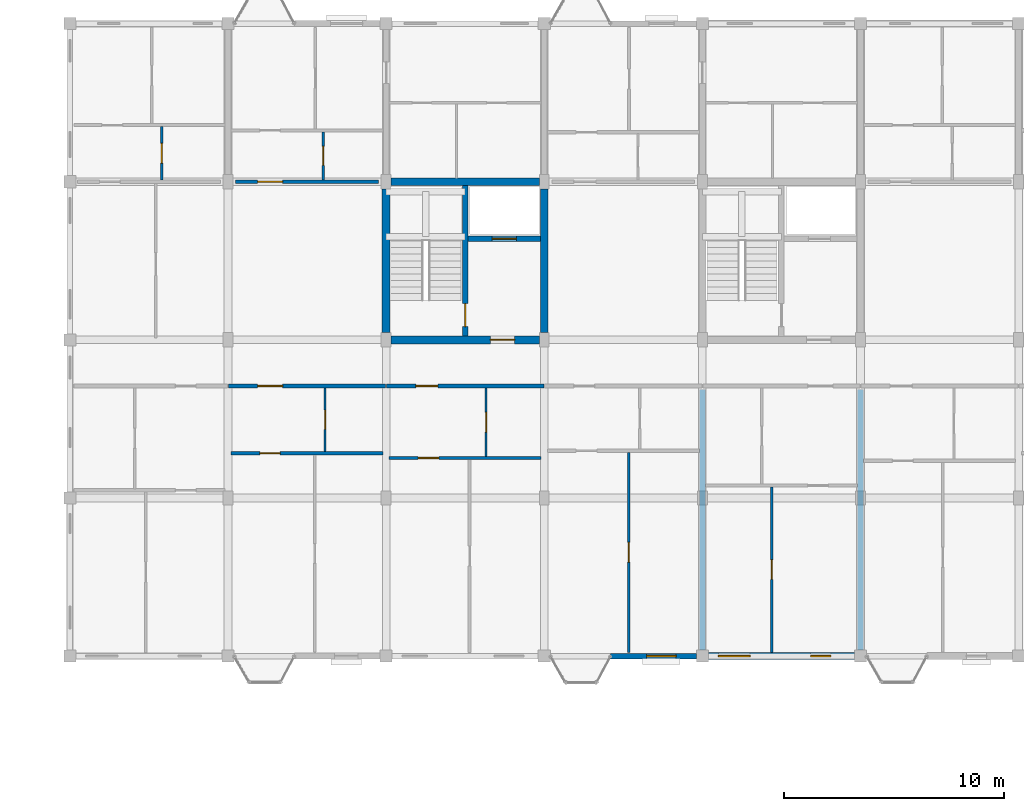
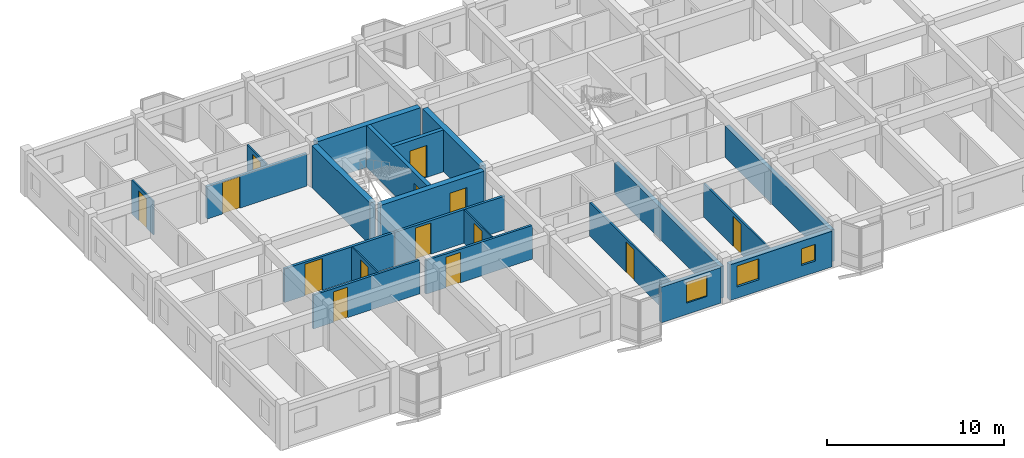
# One storey, part 66 of 77: 21 walls, 14 doors, 3 windows, 17 openings.
"""IFC4 building model written with IfcOpenShell, lengths in metres."""

from ifc_helpers import new_model, si_unit, direction, frame, frame_2d, origin, place, context, subcontext, project, spatial, rectangle, extrude, material, layer, layer_set, type_object, element, fill, save


model = new_model("IFC4")

# Units and contexts
model_context = context("Model", 3, precision=1e-05, world=origin(), true_north=direction((0.0, 1.0)))
body_context = subcontext(model_context, "Body", "Model", "MODEL_VIEW")
ifc_project = project(units=[si_unit("LENGTHUNIT", "METRE"), si_unit("AREAUNIT", "SQUARE_METRE"), si_unit("VOLUMEUNIT", "CUBIC_METRE"), si_unit("PLANEANGLEUNIT", "RADIAN"), si_unit("MASSUNIT", "GRAM", prefix="KILO"), si_unit("THERMODYNAMICTEMPERATUREUNIT", "KELVIN"), si_unit("POWERUNIT", "WATT")], contexts=[model_context])

# Site, building, storey
site_placement = place(None, origin())
site = spatial("IfcSite", under=ifc_project, at=site_placement, CompositionType="ELEMENT")
building_placement = place(site_placement, origin())
building = spatial("IfcBuilding", under=site, at=building_placement, Name="Tavuni Mirador Residences", CompositionType="ELEMENT")
storey_placement = place(building_placement, frame((0.0, 0.0, 10.800048828125)))
storey = spatial("IfcBuildingStorey", under=building, at=storey_placement, Name="L03", CompositionType="ELEMENT", Elevation=10.800048828125)

# Wall, opening, door
ifc_material_1 = material(Name="Precast concrete C40/50", Category="concrete")
ifc_layer_1 = layer(ifc_material_1, 0.25, Name="Precast concrete C40/50", Category="concrete")
ifc_layer_set_1 = layer_set([ifc_layer_1], Name="Precast concrete C40/50")
wall_type_1 = type_object("IfcWallType", Name="WT-COR250", PredefinedType="SHEAR", material=ifc_layer_set_1)
wall_1_placement = place(storey_placement, frame((28.800048828125, 158.580078125, 0.0), z_axis=(0.0, 0.0, 1.0), x_axis=(0.0, 1.0, 0.0)))
wall_1 = element("IfcWall", 1, at=wall_1_placement, inside=storey, type_object=wall_type_1, Name="CWALL-C5-L03-MID", PredefinedType="SHEAR", context=body_context, shape_type="SweptSolid", body=[
    extrude(rectangle(XDim=6.83984375, YDim=0.25, at=frame_2d((3.419921875, 0.0))), origin(), (0.0, 0.0, 1.0), 2.885009765625),
])
opening_1_placement = place(wall_1_placement, frame((0.419921875, 0.0, 0.0)))
opening_1 = element("IfcOpeningElement", 2, at=opening_1_placement, cuts=wall_1, Name="Opening D-01", PredefinedType="OPENING", context=body_context, shape_type="SweptSolid", body=[
    extrude(rectangle(XDim=1.050048828125, YDim=2.14990234375, at=frame_2d((0.52490234375, 1.074951171875))), frame((0.0, 0.135009765625, 0.0), z_axis=(0.0, -1.0, 0.0), x_axis=(1.0, 0.0, 0.0)), (0.0, 0.0, 1.0), 0.27001953125),
])
ifc_material_2 = material(Name="Solid core iroko timber", Category="wood")
door_type_1 = type_object("IfcDoorType", Name="DT-ST1050", OperationType="NOTDEFINED", PredefinedType="DOOR", material=ifc_material_2)
door_1_placement = place(opening_1_placement, origin())
door_1 = element("IfcDoor", 3, at=door_1_placement, inside=storey, type_object=door_type_1, Name="DR-2184", OperationType="SINGLE_SWING_RIGHT", OverallHeight=2.14990234375, OverallWidth=1.050048828125, PredefinedType="DOOR", context=body_context, shape_type="SweptSolid", body=[
    extrude(rectangle(XDim=1.050048828125, YDim=2.14990234375, at=frame_2d((0.52490234375, 1.074951171875))), frame((0.0, 0.02490234375, 0.0), z_axis=(0.0, -1.0, 0.0), x_axis=(1.0, 0.0, 0.0)), (0.0, 0.0, 1.0), 0.050048828125),
])
fill(opening_1, door_1)

wall_2_placement = place(storey_placement, frame((28.925048828125, 163.0, 0.0), z_axis=(0.0, 0.0, 1.0), x_axis=(1.0, 0.0, 0.0)))
wall_2 = element("IfcWall", 4, at=wall_2_placement, inside=storey, type_object=wall_type_1, Name="CWALL-C5-L03-SHF", PredefinedType="SHEAR", context=body_context, shape_type="SweptSolid", body=[
    extrude(rectangle(XDim=3.294921875, YDim=0.25, at=frame_2d((1.6474609375, 0.0))), origin(), (0.0, 0.0, 1.0), 2.885009765625),
])
opening_2_placement = place(wall_2_placement, frame((1.10009765625, 0.0, 0.0)))
opening_2 = element("IfcOpeningElement", 5, at=opening_2_placement, cuts=wall_2, Name="Opening LD-01", PredefinedType="OPENING", context=body_context, shape_type="SweptSolid", body=[
    extrude(rectangle(XDim=1.10009765625, YDim=2.199951171875, at=frame_2d((0.550048828125, 1.10009765625))), frame((0.0, 0.135009765625, 0.0), z_axis=(0.0, -1.0, 0.0), x_axis=(1.0, 0.0, 0.0)), (0.0, 0.0, 1.0), 0.27001953125),
])
ifc_material_3 = material(Name="Structural steel S355", Category="steel")
door_type_2 = type_object("IfcDoorType", Name="DT-LD-FF", OperationType="SLIDING_TO_LEFT", PredefinedType="DOOR", material=ifc_material_3)
door_2_placement = place(opening_2_placement, origin())
door_2 = element("IfcDoor", 6, at=door_2_placement, inside=storey, type_object=door_type_2, Name="Lift landing door FL-C1 L03", OperationType="SLIDING_TO_LEFT", OverallHeight=2.199951171875, OverallWidth=1.10009765625, PredefinedType="DOOR", context=body_context, shape_type="SweptSolid", body=[
    extrude(rectangle(XDim=1.10009765625, YDim=2.199951171875, at=frame_2d((0.550048828125, 1.10009765625))), frame((0.0, 0.02490234375, 0.0), z_axis=(0.0, -1.0, 0.0), x_axis=(1.0, 0.0, 0.0)), (0.0, 0.0, 1.0), 0.050048828125),
])
fill(opening_2, door_2)

# Walls
ifc_layer_2 = layer(ifc_material_1, 0.360107421875, Name="Precast concrete C40/50", Category="concrete")
ifc_layer_set_2 = layer_set([ifc_layer_2], Name="Precast concrete C40/50")
wall_type_2 = type_object("IfcWallType", Name="WT-COR360", PredefinedType="SHEAR", material=ifc_layer_set_2)
wall_3_placement = place(storey_placement, frame((25.199951171875, 158.72509765625, 0.0), z_axis=(0.0, 0.0, 1.0), x_axis=(0.0, 1.0, 0.0)))
element("IfcWall", 7, at=wall_3_placement, inside=storey, type_object=wall_type_2, Name="CWALL-C5-L03-W", PredefinedType="SHEAR", context=body_context, shape_type="SweptSolid", body=[
    extrude(rectangle(XDim=6.5498046875, YDim=0.360107421875, at=frame_2d((3.27490234375, 0.0))), origin(), (0.0, 0.0, 1.0), 2.885009765625),
])
wall_4_placement = place(storey_placement, frame((25.425048828125, 165.60009765625, 0.0), z_axis=(0.0, 0.0, 1.0), x_axis=(1.0, 0.0, 0.0)))
element("IfcWall", 8, at=wall_4_placement, inside=storey, type_object=wall_type_2, Name="CWALL-C5-L03-N", PredefinedType="SHEAR", context=body_context, shape_type="SweptSolid", body=[
    extrude(rectangle(XDim=6.75, YDim=0.360107421875, at=frame_2d((3.375, 0.0))), origin(), (0.0, 0.0, 1.0), 2.885009765625),
])
wall_5_placement = place(storey_placement, frame((32.39990234375, 158.72509765625, 0.0), z_axis=(0.0, 0.0, 1.0), x_axis=(0.0, 1.0, 0.0)))
element("IfcWall", 9, at=wall_5_placement, inside=storey, type_object=wall_type_2, Name="CWALL-C5-L03-E", PredefinedType="SHEAR", context=body_context, shape_type="SweptSolid", body=[
    extrude(rectangle(XDim=6.5498046875, YDim=0.360107421875, at=frame_2d((3.27490234375, 0.0))), origin(), (0.0, 0.0, 1.0), 2.885009765625),
])

# Wall, opening, door
wall_6_placement = place(storey_placement, frame((25.425048828125, 158.39990234375, 0.0), z_axis=(0.0, 0.0, 1.0), x_axis=(1.0, 0.0, 0.0)))
wall_6 = element("IfcWall", 10, at=wall_6_placement, inside=storey, type_object=wall_type_2, Name="CWALL-C5-L03-SS", PredefinedType="SHEAR", context=body_context, shape_type="SweptSolid", body=[
    extrude(rectangle(XDim=6.75, YDim=0.360107421875, at=frame_2d((3.375, 0.0))), origin(), (0.0, 0.0, 1.0), 2.885009765625),
])
opening_3_placement = place(wall_6_placement, frame((4.52490234375, 0.0, 0.0)))
opening_3 = element("IfcOpeningElement", 11, at=opening_3_placement, cuts=wall_6, Name="Opening D-02", PredefinedType="OPENING", context=body_context, shape_type="SweptSolid", body=[
    extrude(rectangle(XDim=1.10009765625, YDim=2.14990234375, at=frame_2d((0.550048828125, 1.074951171875))), frame((0.0, 0.18994140625, 0.0), z_axis=(0.0, -1.0, 0.0), x_axis=(1.0, 0.0, 0.0)), (0.0, 0.0, 1.0), 0.380126953125),
])
door_type_3 = type_object("IfcDoorType", Name="DT-LOB1100", OperationType="NOTDEFINED", PredefinedType="DOOR", material=ifc_material_2)
door_3_placement = place(opening_3_placement, frame((1.10009765625, 0.0, 0.0), z_axis=(0.0, 0.0, 1.0), x_axis=(-1.0, 0.0, 0.0)))
door_3 = element("IfcDoor", 12, at=door_3_placement, inside=storey, type_object=door_type_3, Name="DR-2183", OperationType="SINGLE_SWING_LEFT", OverallHeight=2.14990234375, OverallWidth=1.10009765625, PredefinedType="DOOR", context=body_context, shape_type="SweptSolid", body=[
    extrude(rectangle(XDim=1.10009765625, YDim=2.14990234375, at=frame_2d((0.550048828125, 1.074951171875))), frame((0.0, 0.02490234375, 0.0), z_axis=(0.0, -1.0, 0.0), x_axis=(1.0, 0.0, 0.0)), (0.0, 0.0, 1.0), 0.050048828125),
])
fill(opening_3, door_3)

ifc_layer_3 = layer(ifc_material_1, 0.1650390625, Name="Precast concrete C40/50", Category="concrete")
ifc_layer_set_3 = layer_set([ifc_layer_3], Name="Precast concrete C40/50")
wall_type_3 = type_object("IfcWallType", Name="WT-CORR165", PredefinedType="PARTITIONING", material=ifc_layer_set_3)
wall_7_placement = place(storey_placement, frame((18.02001953125, 156.300048828125, 0.0), z_axis=(0.0, 0.0, 1.0), x_axis=(1.0, 0.0, 0.0)))
wall_7 = element("IfcWall", 13, at=wall_7_placement, inside=storey, type_object=wall_type_3, Name="CORW-BLK-C-L03-0-01", PredefinedType="PARTITIONING", context=body_context, shape_type="SweptSolid", body=[
    extrude(rectangle(XDim=7.159912109375, YDim=0.1650390625, at=frame_2d((3.580078125, 0.0))), origin(), (0.0, 0.0, 1.0), 2.320068359375),
])
opening_4_placement = place(wall_7_placement, frame((1.330078125, 0.0, 0.0)))
opening_4 = element("IfcOpeningElement", 14, at=opening_4_placement, cuts=wall_7, Name="Opening D-20", PredefinedType="OPENING", context=body_context, shape_type="SweptSolid", body=[
    extrude(rectangle(XDim=1.139892578125, YDim=2.179931640625, at=frame_2d((0.56982421875, 1.08984375))), frame((0.0, 0.092529296875, 0.0), z_axis=(0.0, -1.0, 0.0), x_axis=(1.0, 0.0, 0.0)), (0.0, 0.0, 1.0), 0.18505859375),
])
door_type_4 = type_object("IfcDoorType", Name="DT-FD60-1140", OperationType="NOTDEFINED", PredefinedType="DOOR", material=ifc_material_2)
door_4_placement = place(opening_4_placement, origin())
door_4 = element("IfcDoor", 15, at=door_4_placement, inside=storey, type_object=door_type_4, Name="DR-2660", OperationType="SINGLE_SWING_LEFT", OverallHeight=2.179931640625, OverallWidth=1.139892578125, PredefinedType="DOOR", context=body_context, shape_type="SweptSolid", body=[
    extrude(rectangle(XDim=1.139892578125, YDim=2.179931640625, at=frame_2d((0.56982421875, 1.08984375))), frame((0.0, 0.02490234375, 0.0), z_axis=(0.0, -1.0, 0.0), x_axis=(1.0, 0.0, 0.0)), (0.0, 0.0, 1.0), 0.050048828125),
])
fill(opening_4, door_4)

wall_8_placement = place(storey_placement, frame((25.219970703125, 156.300048828125, 0.0), z_axis=(0.0, 0.0, 1.0), x_axis=(1.0, 0.0, 0.0)))
wall_8 = element("IfcWall", 16, at=wall_8_placement, inside=storey, type_object=wall_type_3, Name="CORW-BLK-C-L03-0-02", PredefinedType="PARTITIONING", context=body_context, shape_type="SweptSolid", body=[
    extrude(rectangle(XDim=7.159912109375, YDim=0.1650390625, at=frame_2d((3.580078125, 0.0))), origin(), (0.0, 0.0, 1.0), 2.320068359375),
])
opening_5_placement = place(wall_8_placement, frame((1.330078125, 0.0, 0.0)))
opening_5 = element("IfcOpeningElement", 17, at=opening_5_placement, cuts=wall_8, Name="Opening D-03", PredefinedType="OPENING", context=body_context, shape_type="SweptSolid", body=[
    extrude(rectangle(XDim=1.0, YDim=2.14990234375, at=frame_2d((0.5, 1.074951171875))), frame((0.0, 0.092529296875, 0.0), z_axis=(0.0, -1.0, 0.0), x_axis=(1.0, 0.0, 0.0)), (0.0, 0.0, 1.0), 0.18505859375),
])
door_type_5 = type_object("IfcDoorType", Name="DT-FD60-1000", OperationType="NOTDEFINED", PredefinedType="DOOR", material=ifc_material_2)
door_5_placement = place(opening_5_placement, origin())
door_5 = element("IfcDoor", 18, at=door_5_placement, inside=storey, type_object=door_type_5, Name="DR-2661", OperationType="SINGLE_SWING_RIGHT", OverallHeight=2.14990234375, OverallWidth=1.0, PredefinedType="DOOR", context=body_context, shape_type="SweptSolid", body=[
    extrude(rectangle(XDim=1.0, YDim=2.14990234375, at=frame_2d((0.5, 1.074951171875))), frame((0.0, 0.02490234375, 0.0), z_axis=(0.0, -1.0, 0.0), x_axis=(1.0, 0.0, 0.0)), (0.0, 0.0, 1.0), 0.050048828125),
])
fill(opening_5, door_5)

wall_9_placement = place(storey_placement, frame((18.35009765625, 165.60009765625, 0.0), z_axis=(0.0, 0.0, 1.0), x_axis=(1.0, 0.0, 0.0)))
wall_9 = element("IfcWall", 19, at=wall_9_placement, inside=storey, type_object=wall_type_3, Name="CORW-BLK-C-L03-1-01", PredefinedType="PARTITIONING", context=body_context, shape_type="SweptSolid", body=[
    extrude(rectangle(XDim=6.5, YDim=0.1650390625, at=frame_2d((3.25, 0.0))), origin(), (0.0, 0.0, 1.0), 2.23486328125),
])
opening_6_placement = place(wall_9_placement, frame((1.0, 0.0, 0.0)))
opening_6 = element("IfcOpeningElement", 20, at=opening_6_placement, cuts=wall_9, Name="Opening D-20", PredefinedType="OPENING", context=body_context, shape_type="SweptSolid", body=[
    extrude(rectangle(XDim=1.139892578125, YDim=2.179931640625, at=frame_2d((0.56982421875, 1.08984375))), frame((0.0, 0.092529296875, 0.0), z_axis=(0.0, -1.0, 0.0), x_axis=(1.0, 0.0, 0.0)), (0.0, 0.0, 1.0), 0.18505859375),
])
door_6_placement = place(opening_6_placement, origin())
door_6 = element("IfcDoor", 21, at=door_6_placement, inside=storey, type_object=door_type_4, Name="DR-2669", OperationType="SINGLE_SWING_RIGHT", OverallHeight=2.179931640625, OverallWidth=1.139892578125, PredefinedType="DOOR", context=body_context, shape_type="SweptSolid", body=[
    extrude(rectangle(XDim=1.139892578125, YDim=2.179931640625, at=frame_2d((0.56982421875, 1.08984375))), frame((0.0, 0.02490234375, 0.0), z_axis=(0.0, -1.0, 0.0), x_axis=(1.0, 0.0, 0.0)), (0.0, 0.0, 1.0), 0.050048828125),
])
fill(opening_6, door_6)

# Wall, openings, windows
ifc_layer_4 = layer(ifc_material_1, 0.330078125, Name="Precast concrete C40/50", Category="concrete")
ifc_layer_set_4 = layer_set([ifc_layer_4], Name="Precast concrete C40/50")
wall_type_4 = type_object("IfcWallType", Name="WT-EXT-COR330", PredefinedType="SOLIDWALL", material=ifc_layer_set_4)
wall_10_placement = place(storey_placement, frame((39.875, 144.0, 0.0), z_axis=(0.0, 0.0, 1.0), x_axis=(1.0, 0.0, 0.0)))
wall_10 = element("IfcWall", 22, at=wall_10_placement, inside=storey, type_object=wall_type_4, Name="EW-BLK-C-L03-S04", PredefinedType="SOLIDWALL", context=body_context, shape_type="SweptSolid", body=[
    extrude(rectangle(XDim=6.64990234375, YDim=0.330078125, at=frame_2d((3.324951171875, 0.0))), origin(), (0.0, 0.0, 1.0), 2.454833984375),
])
opening_7_placement = place(wall_10_placement, frame((0.449951171875, 0.0, 0.780029296875)))
opening_7 = element("IfcOpeningElement", 23, at=opening_7_placement, cuts=wall_10, Name="Opening WN-30", PredefinedType="OPENING", context=body_context, shape_type="SweptSolid", body=[
    extrude(rectangle(XDim=1.449951171875, YDim=1.43994140625, at=frame_2d((0.72509765625, 0.719970703125))), frame((0.0, 0.175048828125, 0.0), z_axis=(0.0, -1.0, 0.0), x_axis=(1.0, 0.0, 0.0)), (0.0, 0.0, 1.0), 0.35009765625),
])
opening_8_placement = place(wall_10_placement, frame((4.64990234375, 0.0, 0.780029296875)))
opening_8 = element("IfcOpeningElement", 24, at=opening_8_placement, cuts=wall_10, Name="Opening WN-02", PredefinedType="OPENING", context=body_context, shape_type="SweptSolid", body=[
    extrude(rectangle(XDim=0.919921875, YDim=1.14990234375, at=frame_2d((0.4599609375, 0.574951171875))), frame((0.0, 0.175048828125, 0.0), z_axis=(0.0, -1.0, 0.0), x_axis=(1.0, 0.0, 0.0)), (0.0, 0.0, 1.0), 0.35009765625),
])
ifc_material_4 = material(Name="Laminated solar-control glass", Category="glass")
window_type_1 = type_object("IfcWindowType", Name="WNT-02", PartitioningType="SINGLE_PANEL", PredefinedType="WINDOW", material=ifc_material_4)
window_1_placement = place(opening_8_placement, origin())
window_1 = element("IfcWindow", 25, at=window_1_placement, inside=storey, type_object=window_type_1, Name="WIN-0957", OverallHeight=1.14990234375, OverallWidth=0.919921875, PartitioningType="SINGLE_PANEL", PredefinedType="WINDOW", context=body_context, shape_type="SweptSolid", body=[
    extrude(rectangle(XDim=0.919921875, YDim=1.14990234375, at=frame_2d((0.4599609375, 0.574951171875))), frame((0.0, 0.030029296875, 0.0), z_axis=(0.0, -1.0, 0.0), x_axis=(1.0, 0.0, 0.0)), (0.0, 0.0, 1.0), 0.06005859375),
])
fill(opening_8, window_1)
window_type_2 = type_object("IfcWindowType", Name="WNT-30", PartitioningType="SINGLE_PANEL", PredefinedType="WINDOW", material=ifc_material_4)
window_2_placement = place(opening_7_placement, origin())
window_2 = element("IfcWindow", 26, at=window_2_placement, inside=storey, type_object=window_type_2, Name="WIN-0956", OverallHeight=1.43994140625, OverallWidth=1.449951171875, PartitioningType="SINGLE_PANEL", PredefinedType="WINDOW", context=body_context, shape_type="SweptSolid", body=[
    extrude(rectangle(XDim=1.449951171875, YDim=1.43994140625, at=frame_2d((0.72509765625, 0.719970703125))), frame((0.0, 0.030029296875, 0.0), z_axis=(0.0, -1.0, 0.0), x_axis=(1.0, 0.0, 0.0)), (0.0, 0.0, 1.0), 0.06005859375),
])
fill(opening_7, window_2)

# Wall, opening, window
ifc_material_5 = material(Name="Sgraffito lime-rendered precast concrete C40/50", Category="concrete")
ifc_layer_5 = layer(ifc_material_5, 0.2451171875, Name="Sgraffito lime-rendered precast concrete C40/50", Category="concrete")
ifc_layer_set_5 = layer_set([ifc_layer_5], Name="Sgraffito lime-rendered precast concrete C40/50")
wall_type_5 = type_object("IfcWallType", Name="WT-EXT-PC245", PredefinedType="SOLIDWALL", material=ifc_layer_set_5)
wall_11_placement = place(storey_placement, frame((35.419921875, 144.0, 0.0), z_axis=(0.0, 0.0, 1.0), x_axis=(1.0, 0.0, 0.0)))
wall_11 = element("IfcWall", 27, at=wall_11_placement, inside=storey, type_object=wall_type_5, Name="EW-BLK-C-L03-S03", PredefinedType="SOLIDWALL", context=body_context, shape_type="SweptSolid", body=[
    extrude(rectangle(XDim=3.905029296875, YDim=0.2451171875, at=frame_2d((1.95263671875, 0.0))), origin(), (0.0, 0.0, 1.0), 2.454833984375),
])
opening_9_placement = place(wall_11_placement, frame((1.637451171875, 0.0, 0.780029296875)))
opening_9 = element("IfcOpeningElement", 28, at=opening_9_placement, cuts=wall_11, Name="Opening WN-29", PredefinedType="OPENING", context=body_context, shape_type="SweptSolid", body=[
    extrude(rectangle(XDim=1.35009765625, YDim=1.43994140625, at=frame_2d((0.675048828125, 0.719970703125))), frame((0.0, 0.132568359375, 0.0), z_axis=(0.0, -1.0, 0.0), x_axis=(1.0, 0.0, 0.0)), (0.0, 0.0, 1.0), 0.26513671875),
])
window_type_3 = type_object("IfcWindowType", Name="WNT-29", PartitioningType="SINGLE_PANEL", PredefinedType="WINDOW", material=ifc_material_4)
window_3_placement = place(opening_9_placement, origin())
window_3 = element("IfcWindow", 29, at=window_3_placement, inside=storey, type_object=window_type_3, Name="WIN-0955", OverallHeight=1.43994140625, OverallWidth=1.35009765625, PartitioningType="SINGLE_PANEL", PredefinedType="WINDOW", context=body_context, shape_type="SweptSolid", body=[
    extrude(rectangle(XDim=1.35009765625, YDim=1.43994140625, at=frame_2d((0.675048828125, 0.719970703125))), frame((0.0, 0.030029296875, 0.0), z_axis=(0.0, -1.0, 0.0), x_axis=(1.0, 0.0, 0.0)), (0.0, 0.0, 1.0), 0.06005859375),
])
fill(opening_9, window_3)

# Wall, opening, door
ifc_material_6 = material(Name="Acoustic gypsum and concrete block partition", Category="concrete")
ifc_layer_6 = layer(ifc_material_6, 0.094970703125, Name="Acoustic gypsum and concrete block partition", Category="concrete")
ifc_layer_set_6 = layer_set([ifc_layer_6], Name="Acoustic gypsum and concrete block partition")
wall_type_6 = type_object("IfcWallType", Name="WT-PART095", PredefinedType="PARTITIONING", material=ifc_layer_set_6)
wall_12_placement = place(storey_placement, frame((22.419921875, 153.31005859375, 0.0), z_axis=(0.0, 0.0, 1.0), x_axis=(0.0, 1.0, 0.0)))
wall_12 = element("IfcWall", 30, at=wall_12_placement, inside=storey, type_object=wall_type_6, Name="PW-BLK-C-L03-S01-IN1", PredefinedType="PARTITIONING", context=body_context, shape_type="SweptSolid", body=[
    extrude(rectangle(XDim=2.89990234375, YDim=0.094970703125, at=frame_2d((1.449951171875, 0.0))), origin(), (0.0, 0.0, 1.0), 2.320068359375),
])
opening_10_placement = place(wall_12_placement, frame((1.014892578125, 0.0, 0.0)))
opening_10 = element("IfcOpeningElement", 31, at=opening_10_placement, cuts=wall_12, Name="Opening D-10", PredefinedType="OPENING", context=body_context, shape_type="SweptSolid", body=[
    extrude(rectangle(XDim=0.8701171875, YDim=2.050048828125, at=frame_2d((0.43505859375, 1.02490234375))), frame((0.0, 0.0576171875, 0.0), z_axis=(0.0, -1.0, 0.0), x_axis=(1.0, 0.0, 0.0)), (0.0, 0.0, 1.0), 0.114990234375),
])
door_type_6 = type_object("IfcDoorType", Name="DT-WC870", OperationType="NOTDEFINED", PredefinedType="DOOR", material=ifc_material_2)
door_7_placement = place(opening_10_placement, origin())
door_7 = element("IfcDoor", 32, at=door_7_placement, inside=storey, type_object=door_type_6, Name="DR-3803", OperationType="SINGLE_SWING_RIGHT", OverallHeight=2.050048828125, OverallWidth=0.8701171875, PredefinedType="DOOR", context=body_context, shape_type="SweptSolid", body=[
    extrude(rectangle(XDim=0.8701171875, YDim=2.050048828125, at=frame_2d((0.43505859375, 1.02490234375))), frame((0.0, 0.02490234375, 0.0), z_axis=(0.0, -1.0, 0.0), x_axis=(1.0, 0.0, 0.0)), (0.0, 0.0, 1.0), 0.050048828125),
])
fill(opening_10, door_7)

wall_13_placement = place(storey_placement, frame((29.75, 153.090087890625, 0.0), z_axis=(0.0, 0.0, 1.0), x_axis=(0.0, 1.0, 0.0)))
wall_13 = element("IfcWall", 33, at=wall_13_placement, inside=storey, type_object=wall_type_6, Name="PW-BLK-C-L03-S02-IN1", PredefinedType="PARTITIONING", context=body_context, shape_type="SweptSolid", body=[
    extrude(rectangle(XDim=3.119873046875, YDim=0.094970703125, at=frame_2d((1.56005859375, 0.0))), origin(), (0.0, 0.0, 1.0), 2.320068359375),
])
opening_11_placement = place(wall_13_placement, frame((1.110107421875, 0.0, 0.0)))
opening_11 = element("IfcOpeningElement", 34, at=opening_11_placement, cuts=wall_13, Name="Opening D-09", PredefinedType="OPENING", context=body_context, shape_type="SweptSolid", body=[
    extrude(rectangle(XDim=0.89990234375, YDim=2.050048828125, at=frame_2d((0.449951171875, 1.02490234375))), frame((0.0, 0.0576171875, 0.0), z_axis=(0.0, -1.0, 0.0), x_axis=(1.0, 0.0, 0.0)), (0.0, 0.0, 1.0), 0.114990234375),
])
door_type_7 = type_object("IfcDoorType", Name="DT-WC900", OperationType="NOTDEFINED", PredefinedType="DOOR", material=ifc_material_2)
door_8_placement = place(opening_11_placement, origin())
door_8 = element("IfcDoor", 35, at=door_8_placement, inside=storey, type_object=door_type_7, Name="DR-3809", OperationType="SINGLE_SWING_LEFT", OverallHeight=2.050048828125, OverallWidth=0.89990234375, PredefinedType="DOOR", context=body_context, shape_type="SweptSolid", body=[
    extrude(rectangle(XDim=0.89990234375, YDim=2.050048828125, at=frame_2d((0.449951171875, 1.02490234375))), frame((0.0, 0.02490234375, 0.0), z_axis=(0.0, -1.0, 0.0), x_axis=(1.0, 0.0, 0.0)), (0.0, 0.0, 1.0), 0.050048828125),
])
fill(opening_11, door_8)

ifc_layer_7 = layer(ifc_material_6, 0.10498046875, Name="Acoustic gypsum and concrete block partition", Category="concrete")
ifc_layer_set_7 = layer_set([ifc_layer_7], Name="Acoustic gypsum and concrete block partition")
wall_type_7 = type_object("IfcWallType", Name="WT-PART105", PredefinedType="PARTITIONING", material=ifc_layer_set_7)
wall_14_placement = place(storey_placement, frame((14.97998046875, 165.68994140625, 0.0), z_axis=(0.0, 0.0, 1.0), x_axis=(0.0, 1.0, 0.0)))
wall_14 = element("IfcWall", 36, at=wall_14_placement, inside=storey, type_object=wall_type_7, Name="PW-BLK-C-L03-N00-IN1", PredefinedType="PARTITIONING", context=body_context, shape_type="SweptSolid", body=[
    extrude(rectangle(XDim=2.420166015625, YDim=0.10498046875, at=frame_2d((1.2099609375, 0.0))), origin(), (0.0, 0.0, 1.0), 2.320068359375),
])
opening_12_placement = place(wall_14_placement, frame((0.760009765625, 0.0, 0.0)))
opening_12 = element("IfcOpeningElement", 37, at=opening_12_placement, cuts=wall_14, Name="Opening D-09", PredefinedType="OPENING", context=body_context, shape_type="SweptSolid", body=[
    extrude(rectangle(XDim=0.89990234375, YDim=2.050048828125, at=frame_2d((0.449951171875, 1.02490234375))), frame((0.0, 0.0625, 0.0), z_axis=(0.0, -1.0, 0.0), x_axis=(1.0, 0.0, 0.0)), (0.0, 0.0, 1.0), 0.125),
])
door_9_placement = place(opening_12_placement, origin())
door_9 = element("IfcDoor", 38, at=door_9_placement, inside=storey, type_object=door_type_7, Name="DR-3800", OperationType="SINGLE_SWING_LEFT", OverallHeight=2.050048828125, OverallWidth=0.89990234375, PredefinedType="DOOR", context=body_context, shape_type="SweptSolid", body=[
    extrude(rectangle(XDim=0.89990234375, YDim=2.050048828125, at=frame_2d((0.449951171875, 1.02490234375))), frame((0.0, 0.02490234375, 0.0), z_axis=(0.0, -1.0, 0.0), x_axis=(1.0, 0.0, 0.0)), (0.0, 0.0, 1.0), 0.050048828125),
])
fill(opening_12, door_9)

wall_15_placement = place(storey_placement, frame((22.340087890625, 165.68994140625, 0.0), z_axis=(0.0, 0.0, 1.0), x_axis=(0.0, 1.0, 0.0)))
wall_15 = element("IfcWall", 39, at=wall_15_placement, inside=storey, type_object=wall_type_7, Name="PW-BLK-C-L03-N01-IN1", PredefinedType="PARTITIONING", context=body_context, shape_type="SweptSolid", body=[
    extrude(rectangle(XDim=2.18017578125, YDim=0.10498046875, at=frame_2d((1.090087890625, 0.0))), origin(), (0.0, 0.0, 1.0), 2.320068359375),
])
opening_13_placement = place(wall_15_placement, frame((0.655029296875, 0.0, 0.0)))
opening_13 = element("IfcOpeningElement", 40, at=opening_13_placement, cuts=wall_15, Name="Opening D-10", PredefinedType="OPENING", context=body_context, shape_type="SweptSolid", body=[
    extrude(rectangle(XDim=0.8701171875, YDim=2.050048828125, at=frame_2d((0.43505859375, 1.02490234375))), frame((0.0, 0.0625, 0.0), z_axis=(0.0, -1.0, 0.0), x_axis=(1.0, 0.0, 0.0)), (0.0, 0.0, 1.0), 0.125),
])
door_10_placement = place(opening_13_placement, origin())
door_10 = element("IfcDoor", 41, at=door_10_placement, inside=storey, type_object=door_type_6, Name="DR-3806", OperationType="SINGLE_SWING_RIGHT", OverallHeight=2.050048828125, OverallWidth=0.8701171875, PredefinedType="DOOR", context=body_context, shape_type="SweptSolid", body=[
    extrude(rectangle(XDim=0.8701171875, YDim=2.050048828125, at=frame_2d((0.43505859375, 1.02490234375))), frame((0.0, 0.02490234375, 0.0), z_axis=(0.0, -1.0, 0.0), x_axis=(1.0, 0.0, 0.0)), (0.0, 0.0, 1.0), 0.050048828125),
])
fill(opening_13, door_10)

ifc_layer_8 = layer(ifc_material_6, 0.114990234375, Name="Acoustic gypsum and concrete block partition", Category="concrete")
ifc_layer_set_8 = layer_set([ifc_layer_8], Name="Acoustic gypsum and concrete block partition")
wall_type_8 = type_object("IfcWallType", Name="WT-PART115", PredefinedType="PARTITIONING", material=ifc_layer_set_8)
wall_16_placement = place(storey_placement, frame((36.25, 144.175048828125, 0.0), z_axis=(0.0, 0.0, 1.0), x_axis=(0.0, 1.0, 0.0)))
wall_16 = element("IfcWall", 42, at=wall_16_placement, inside=storey, type_object=wall_type_8, Name="PW-BLK-C-L03-S03-OUT", PredefinedType="PARTITIONING", context=body_context, shape_type="SweptSolid", body=[
    extrude(rectangle(XDim=9.10498046875, YDim=0.114990234375, at=frame_2d((4.552490234375, 0.0))), origin(), (0.0, 0.0, 1.0), 2.320068359375),
])
opening_14_placement = place(wall_16_placement, frame((4.1025390625, 0.0, 0.0)))
opening_14 = element("IfcOpeningElement", 43, at=opening_14_placement, cuts=wall_16, Name="Opening D-07", PredefinedType="OPENING", context=body_context, shape_type="SweptSolid", body=[
    extrude(rectangle(XDim=0.89990234375, YDim=2.10009765625, at=frame_2d((0.449951171875, 1.050048828125))), frame((0.0, 0.0673828125, 0.0), z_axis=(0.0, -1.0, 0.0), x_axis=(1.0, 0.0, 0.0)), (0.0, 0.0, 1.0), 0.135009765625),
])
door_type_8 = type_object("IfcDoorType", Name="DT-BED900", OperationType="NOTDEFINED", PredefinedType="DOOR", material=ifc_material_2)
door_11_placement = place(opening_14_placement, origin())
door_11 = element("IfcDoor", 44, at=door_11_placement, inside=storey, type_object=door_type_8, Name="DR-3813", OperationType="SINGLE_SWING_RIGHT", OverallHeight=2.10009765625, OverallWidth=0.89990234375, PredefinedType="DOOR", context=body_context, shape_type="SweptSolid", body=[
    extrude(rectangle(XDim=0.89990234375, YDim=2.10009765625, at=frame_2d((0.449951171875, 1.050048828125))), frame((0.0, 0.02490234375, 0.0), z_axis=(0.0, -1.0, 0.0), x_axis=(1.0, 0.0, 0.0)), (0.0, 0.0, 1.0), 0.050048828125),
])
fill(opening_14, door_11)

wall_17_placement = place(storey_placement, frame((42.75, 144.175048828125, 0.0), z_axis=(0.0, 0.0, 1.0), x_axis=(0.0, 1.0, 0.0)))
wall_17 = element("IfcWall", 45, at=wall_17_placement, inside=storey, type_object=wall_type_8, Name="PW-BLK-C-L03-S04-OUT", PredefinedType="PARTITIONING", context=body_context, shape_type="SweptSolid", body=[
    extrude(rectangle(XDim=7.52490234375, YDim=0.114990234375, at=frame_2d((3.762451171875, 0.0))), origin(), (0.0, 0.0, 1.0), 2.320068359375),
])
opening_15_placement = place(wall_17_placement, frame((3.322509765625, 0.0, 0.0)))
opening_15 = element("IfcOpeningElement", 46, at=opening_15_placement, cuts=wall_17, Name="Opening D-08", PredefinedType="OPENING", context=body_context, shape_type="SweptSolid", body=[
    extrude(rectangle(XDim=0.8798828125, YDim=2.080078125, at=frame_2d((0.43994140625, 1.0400390625))), frame((0.0, 0.0673828125, 0.0), z_axis=(0.0, -1.0, 0.0), x_axis=(1.0, 0.0, 0.0)), (0.0, 0.0, 1.0), 0.135009765625),
])
door_type_9 = type_object("IfcDoorType", Name="DT-BED880", OperationType="NOTDEFINED", PredefinedType="DOOR", material=ifc_material_2)
door_12_placement = place(opening_15_placement, origin())
door_12 = element("IfcDoor", 47, at=door_12_placement, inside=storey, type_object=door_type_9, Name="DR-3819", OperationType="SINGLE_SWING_LEFT", OverallHeight=2.080078125, OverallWidth=0.8798828125, PredefinedType="DOOR", context=body_context, shape_type="SweptSolid", body=[
    extrude(rectangle(XDim=0.8798828125, YDim=2.080078125, at=frame_2d((0.43994140625, 1.0400390625))), frame((0.0, 0.02490234375, 0.0), z_axis=(0.0, -1.0, 0.0), x_axis=(1.0, 0.0, 0.0)), (0.0, 0.0, 1.0), 0.050048828125),
])
fill(opening_15, door_12)

ifc_layer_9 = layer(ifc_material_6, 0.14990234375, Name="Acoustic gypsum and concrete block partition", Category="concrete")
ifc_layer_set_9 = layer_set([ifc_layer_9], Name="Acoustic gypsum and concrete block partition")
wall_type_9 = type_object("IfcWallType", Name="WT-PART150", PredefinedType="PARTITIONING", material=ifc_layer_set_9)
wall_18_placement = place(storey_placement, frame((18.139892578125, 153.239990234375, 0.0), z_axis=(0.0, 0.0, 1.0), x_axis=(1.0, 0.0, 0.0)))
wall_18 = element("IfcWall", 48, at=wall_18_placement, inside=storey, type_object=wall_type_9, Name="PW-BLK-C-L03-S01-MID", PredefinedType="PARTITIONING", context=body_context, shape_type="SweptSolid", body=[
    extrude(rectangle(XDim=6.920166015625, YDim=0.14990234375, at=frame_2d((3.4599609375, 0.0))), origin(), (0.0, 0.0, 1.0), 2.320068359375),
])
opening_16_placement = place(wall_18_placement, frame((1.31005859375, 0.0, 0.0)))
opening_16 = element("IfcOpeningElement", 49, at=opening_16_placement, cuts=wall_18, Name="Opening D-06", PredefinedType="OPENING", context=body_context, shape_type="SweptSolid", body=[
    extrude(rectangle(XDim=0.919921875, YDim=2.10009765625, at=frame_2d((0.4599609375, 1.050048828125))), frame((0.0, 0.0849609375, 0.0), z_axis=(0.0, -1.0, 0.0), x_axis=(1.0, 0.0, 0.0)), (0.0, 0.0, 1.0), 0.169921875),
])
door_type_10 = type_object("IfcDoorType", Name="DT-INT920", OperationType="NOTDEFINED", PredefinedType="DOOR", material=ifc_material_2)
door_13_placement = place(opening_16_placement, origin())
door_13 = element("IfcDoor", 50, at=door_13_placement, inside=storey, type_object=door_type_10, Name="DR-3804", OperationType="SINGLE_SWING_RIGHT", OverallHeight=2.10009765625, OverallWidth=0.919921875, PredefinedType="DOOR", context=body_context, shape_type="SweptSolid", body=[
    extrude(rectangle(XDim=0.919921875, YDim=2.10009765625, at=frame_2d((0.4599609375, 1.050048828125))), frame((0.0, 0.02490234375, 0.0), z_axis=(0.0, -1.0, 0.0), x_axis=(1.0, 0.0, 0.0)), (0.0, 0.0, 1.0), 0.050048828125),
])
fill(opening_16, door_13)

wall_19_placement = place(storey_placement, frame((25.340087890625, 153.02001953125, 0.0), z_axis=(0.0, 0.0, 1.0), x_axis=(1.0, 0.0, 0.0)))
wall_19 = element("IfcWall", 51, at=wall_19_placement, inside=storey, type_object=wall_type_9, Name="PW-BLK-C-L03-S02-MID", PredefinedType="PARTITIONING", context=body_context, shape_type="SweptSolid", body=[
    extrude(rectangle(XDim=6.919921875, YDim=0.14990234375, at=frame_2d((3.4599609375, 0.0))), origin(), (0.0, 0.0, 1.0), 2.320068359375),
])
opening_17_placement = place(wall_19_placement, frame((1.31005859375, 0.0, 0.0)))
opening_17 = element("IfcOpeningElement", 52, at=opening_17_placement, cuts=wall_19, Name="Opening D-05", PredefinedType="OPENING", context=body_context, shape_type="SweptSolid", body=[
    extrude(rectangle(XDim=0.949951171875, YDim=2.10009765625, at=frame_2d((0.47509765625, 1.050048828125))), frame((0.0, 0.0849609375, 0.0), z_axis=(0.0, -1.0, 0.0), x_axis=(1.0, 0.0, 0.0)), (0.0, 0.0, 1.0), 0.169921875),
])
door_type_11 = type_object("IfcDoorType", Name="DT-INT950", OperationType="NOTDEFINED", PredefinedType="DOOR", material=ifc_material_2)
door_14_placement = place(opening_17_placement, origin())
door_14 = element("IfcDoor", 53, at=door_14_placement, inside=storey, type_object=door_type_11, Name="DR-3810", OperationType="SINGLE_SWING_LEFT", OverallHeight=2.10009765625, OverallWidth=0.949951171875, PredefinedType="DOOR", context=body_context, shape_type="SweptSolid", body=[
    extrude(rectangle(XDim=0.949951171875, YDim=2.10009765625, at=frame_2d((0.47509765625, 1.050048828125))), frame((0.0, 0.02490234375, 0.0), z_axis=(0.0, -1.0, 0.0), x_axis=(1.0, 0.0, 0.0)), (0.0, 0.0, 1.0), 0.050048828125),
])
fill(opening_17, door_14)

# Walls
ifc_layer_10 = layer(ifc_material_1, 0.264892578125, Name="Precast concrete C40/50", Category="concrete")
ifc_layer_set_10 = layer_set([ifc_layer_10], Name="Precast concrete C40/50")
wall_type_10 = type_object("IfcWallType", Name="WT-XW265", PredefinedType="SOLIDWALL", material=ifc_layer_set_10)
for number, where, z_axis, x_axis, name in (
    (54, (39.60009765625, 144.27490234375, 0.0), (0.0, 0.0, 1.0), (0.0, 1.0, 0.0), "XW-BLK-C-L03-S-04"),
    (55, (46.800048828125, 144.27490234375, 0.0), (0.0, 0.0, 1.0), (0.0, 1.0, 0.0), "XW-BLK-C-L03-S-05"),
):
    element("IfcWall", number, at=place(storey_placement, frame(where, z_axis=z_axis, x_axis=x_axis)), inside=storey, type_object=wall_type_10, Name=name, PredefinedType="SOLIDWALL", context=body_context, shape_type="SweptSolid", body=[
        extrude(rectangle(XDim=11.875, YDim=0.264892578125, at=frame_2d((5.9375, 0.0))), origin(), (0.0, 0.0, 1.0), 2.18505859375),
    ])

save(model, "model.ifc")
